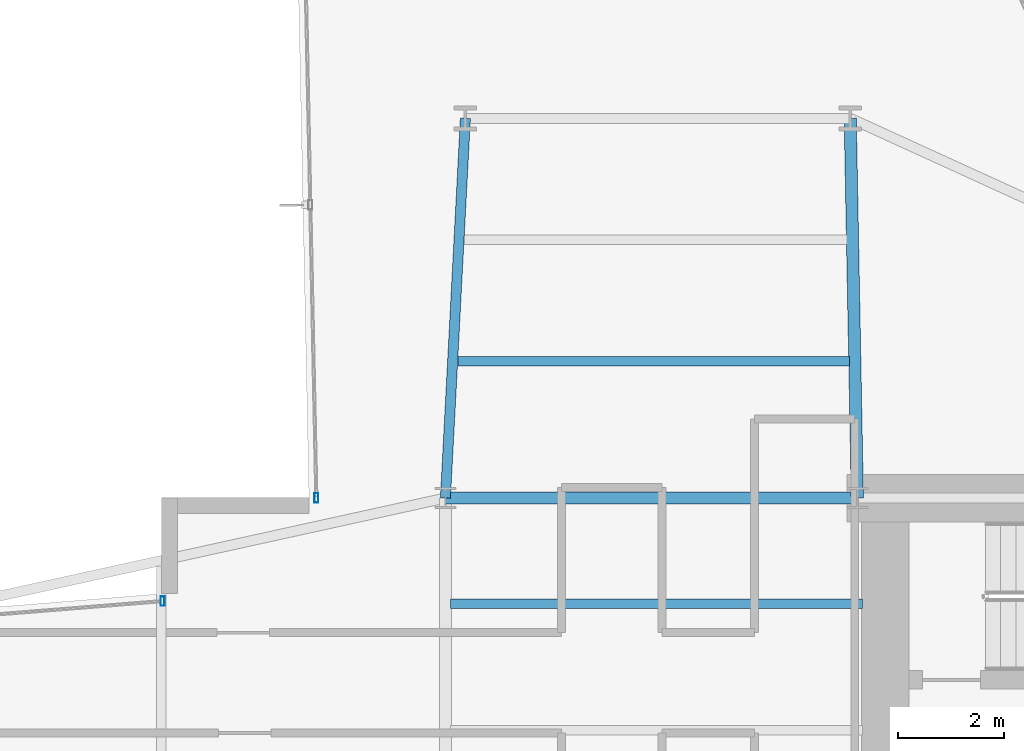
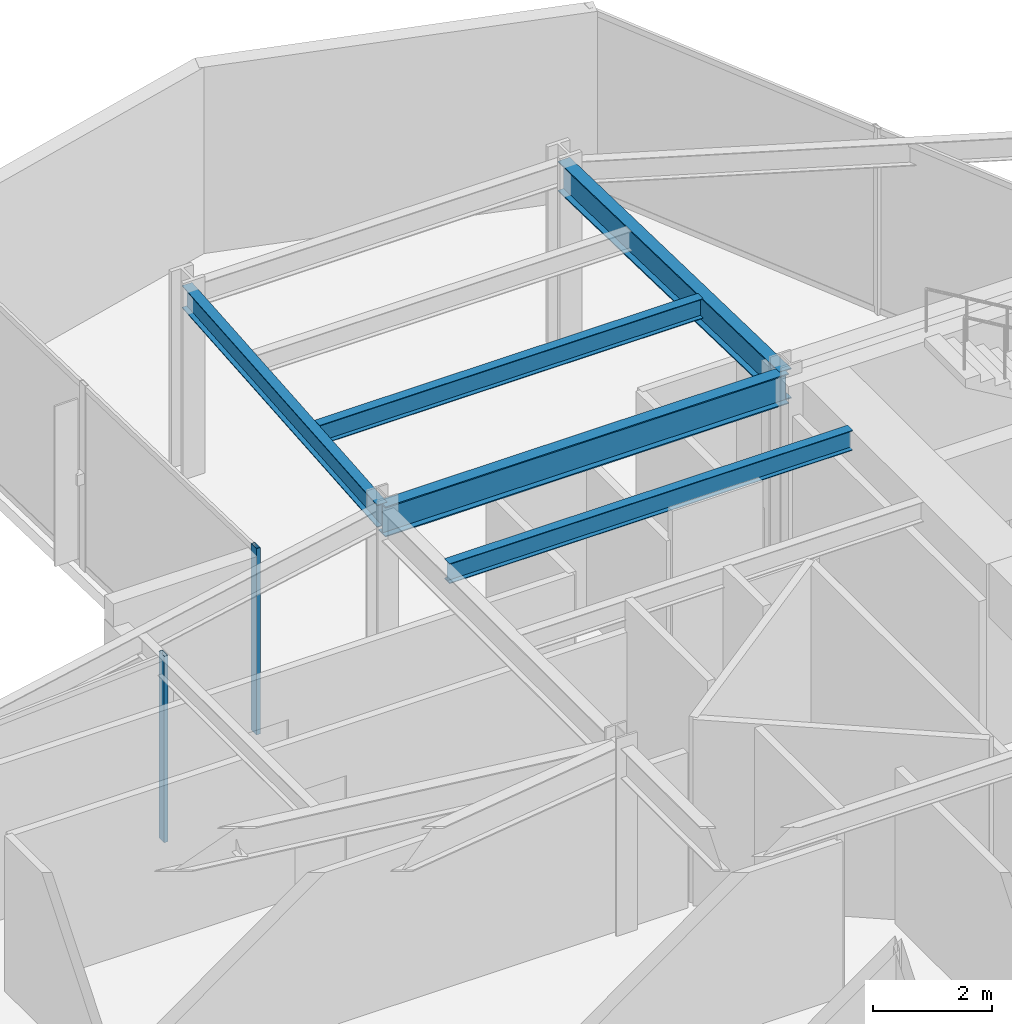
# One storey, part 9 of 23: 5 beams, 2 members, 2 elements without a shape of their own.
"""IFC4 building model written with IfcOpenShell, lengths in metres."""

from ifc_helpers import new_model, si_unit, direction, frame, origin, origin_2d, place, context, subcontext, project, spatial, hollow_rectangle, i_section, extrude, material, layer, layer_set, material_profile, profile_set, type_object, element, aggregate, save


model = new_model("IFC4")

# Units and contexts
model_context = context("Model", 3, precision=1e-05, world=origin(), true_north=direction((0.0, 1.0)))
body_context = subcontext(model_context, "Body", "Model", "MODEL_VIEW")
ifc_project = project(units=[si_unit("LENGTHUNIT", "METRE"), si_unit("AREAUNIT", "SQUARE_METRE"), si_unit("VOLUMEUNIT", "CUBIC_METRE"), si_unit("PLANEANGLEUNIT", "RADIAN"), si_unit("MASSUNIT", "GRAM", prefix="KILO")], contexts=[model_context])

# Site, building, storey
site_placement = place(None, origin())
site = spatial("IfcSite", under=ifc_project, at=site_placement, CompositionType="ELEMENT")
building_placement = place(site_placement, origin())
building = spatial("IfcBuilding", under=site, at=building_placement, Name="Veymaron Broadcast Tower", CompositionType="ELEMENT")
storey_placement = place(building_placement, frame((0.0, 0.0, 94.5)))
storey = spatial("IfcBuildingStorey", under=building, at=storey_placement, Name="L21", CompositionType="ELEMENT", Elevation=94.5)

# Beams
ifc_material_1 = material(Name="Structural steel ASTM A992 Gr 50", Category="steel")
ifc_material_profile_1 = material_profile(ifc_material_1, i_section(OverallWidth=0.22998046875, OverallDepth=0.616943359375, WebThickness=0.01318359375, FlangeThickness=0.022216796875, at=origin_2d()), Name="W610X140")
ifc_profile_set_1 = profile_set([ifc_material_profile_1], Name="Structural steel ASTM A992 Gr 50")
beam_type_1 = type_object("IfcBeamType", Name="BM-FG1", PredefinedType="BEAM", material=ifc_profile_set_1)
beam_1_placement = place(storey_placement, frame((31.199951171875, 32.0, 3.50146484375), z_axis=(1.0, 0.0, 0.0), x_axis=(0.0, 1.0, 0.0)))
element("IfcBeam", 1, at=beam_1_placement, inside=storey, type_object=beam_type_1, Name="L21 primary structural floor girder", PredefinedType="BEAM", context=body_context, shape_type="SweptSolid", body=[
    extrude(i_section(OverallWidth=0.22998046875, OverallDepth=0.616943359375, WebThickness=0.01318359375, FlangeThickness=0.022216796875, at=origin_2d()), origin(), (0.0, 0.0, 1.0), 7.800048828125),
])
beam_2_placement = place(storey_placement, frame((39.0, 32.0, 3.50146484375), z_axis=(-0.018774279541, 0.999823747681, 0.0), x_axis=(-0.999823747681, -0.018774279541, 0.0)))
element("IfcBeam", 2, at=beam_2_placement, inside=storey, type_object=beam_type_1, Name="L21 primary structural floor girder", PredefinedType="BEAM", context=body_context, shape_type="SweptSolid", body=[
    extrude(i_section(OverallWidth=0.22998046875, OverallDepth=0.616943359375, WebThickness=0.01318359375, FlangeThickness=0.022216796875, at=origin_2d()), origin(), (0.0, 0.0, 1.0), 7.191162109375),
])
ifc_material_profile_2 = material_profile(ifc_material_1, i_section(OverallWidth=0.177978515625, OverallDepth=0.406982421875, WebThickness=0.0078125, FlangeThickness=0.0126953125, at=origin_2d()), Name="W410X60")
ifc_profile_set_2 = profile_set([ifc_material_profile_2], Name="Structural steel ASTM A992 Gr 50")
beam_type_2 = type_object("IfcBeamType", Name="BM-JS1", PredefinedType="JOIST", material=ifc_profile_set_2)
beam_3_placement = place(storey_placement, frame((31.43603515625, 34.58837890625, 3.6064453125), z_axis=(1.0, 0.0, 0.0), x_axis=(0.0, 1.0, 0.0)))
element("IfcBeam", 3, at=beam_3_placement, inside=storey, type_object=beam_type_2, Name="L21 Arm-B secondary joist 1", PredefinedType="JOIST", context=body_context, shape_type="SweptSolid", body=[
    extrude(i_section(OverallWidth=0.177978515625, OverallDepth=0.406982421875, WebThickness=0.0078125, FlangeThickness=0.0126953125, at=origin_2d()), origin(), (0.0, 0.0, 1.0), 7.415283203125),
])
beam_4_placement = place(storey_placement, frame((31.300048828125, 30.0, 3.6064453125), z_axis=(1.0, 0.0, 0.0), x_axis=(0.0, 1.0, 0.0)))
element("IfcBeam", 4, at=beam_4_placement, inside=storey, type_object=beam_type_2, Name="L21 Hub secondary joist 4", PredefinedType="JOIST", context=body_context, shape_type="SweptSolid", body=[
    extrude(i_section(OverallWidth=0.177978515625, OverallDepth=0.406982421875, WebThickness=0.0078125, FlangeThickness=0.0126953125, at=origin_2d()), origin(), (0.0, 0.0, 1.0), 7.800048828125),
])
ifc_material_profile_3 = material_profile(ifc_material_1, i_section(OverallWidth=0.19091796875, OverallDepth=0.4599609375, WebThickness=0.010009765625, FlangeThickness=0.01611328125, at=origin_2d()), Name="W460X82")
ifc_profile_set_3 = profile_set([ifc_material_profile_3], Name="Structural steel ASTM A992 Gr 50")
beam_type_3 = type_object("IfcBeamType", Name="BM-SP1", PredefinedType="SPANDREL", material=ifc_profile_set_3)
beam_5_placement = place(storey_placement, frame((31.199951171875, 32.0, 3.580078125), z_axis=(0.052491202254, 0.998621386555, 0.0), x_axis=(-0.998621386555, 0.052491202254, 0.0)))
element("IfcBeam", 5, at=beam_5_placement, inside=storey, type_object=beam_type_3, Name="L21 primary structural floor girder", PredefinedType="SPANDREL", context=body_context, shape_type="SweptSolid", body=[
    extrude(i_section(OverallWidth=0.19091796875, OverallDepth=0.4599609375, WebThickness=0.010009765625, FlangeThickness=0.01611328125, at=origin_2d()), origin(), (0.0, 0.0, 1.0), 7.199951171875),
])

# Curtain wall, member
ifc_material_2 = material(Name="Anodised aluminium AA 6063-T6 and laminated low-E dark glass", Category="aluminium")
ifc_layer = layer(ifc_material_2, 0.179931640625)
ifc_layer_set = layer_set([ifc_layer], Name="Anodised aluminium AA 6063-T6 and laminated low-E dark glass")
curtain_wall_type = type_object("IfcCurtainWallType", Name="CW-SYS-02", PredefinedType="NOTDEFINED", material=ifc_layer_set)
curtain_wall_1_placement = place(storey_placement, origin())
curtain_wall_1 = element("IfcCurtainWall", 6, at=curtain_wall_1_placement, inside=storey, type_object=curtain_wall_type, Name="L21 dark-glass curtain wall CW-L21-E8-1", PredefinedType="NOTDEFINED")
ifc_material_3 = material(Name="Anodised aluminium AA 6063-T6", Category="aluminium")
ifc_material_profile_4 = material_profile(ifc_material_3, hollow_rectangle(XDim=0.074951171875, YDim=0.179931640625, WallThickness=0.0048828125, at=origin_2d()), Name="AL180X75X5")
ifc_profile_set_4 = profile_set([ifc_material_profile_4], Name="Anodised aluminium AA 6063-T6")
member_type = type_object("IfcMemberType", Name="CW-MUL-02", PredefinedType="MULLION", material=ifc_profile_set_4)
member_1_placement = place(storey_placement, frame((28.755615234375, 32.0029296875, 0.0), z_axis=(0.0, 0.0, 1.0), x_axis=(1.0, 0.0, 0.0)))
member_1 = element("IfcMember", 7, at=member_1_placement, type_object=member_type, Name="CW-L21-E8-1 mullion 2", PredefinedType="MULLION", context=body_context, shape_type="SweptSolid", body=[
    extrude(hollow_rectangle(XDim=0.074951171875, YDim=0.179931640625, WallThickness=0.0048828125, at=origin_2d()), origin(), (0.0, 0.0, 1.0), 3.81005859375),
])
aggregate(curtain_wall_1, [member_1])

curtain_wall_2_placement = place(storey_placement, origin())
curtain_wall_2 = element("IfcCurtainWall", 8, at=curtain_wall_2_placement, inside=storey, type_object=curtain_wall_type, Name="L21 dark-glass curtain wall CW-L21-E11-1", PredefinedType="NOTDEFINED")
member_2_placement = place(storey_placement, frame((25.84326171875, 30.048583984375, 0.0), z_axis=(0.0, 0.0, 1.0), x_axis=(1.0, 0.0, 0.0)))
member_2 = element("IfcMember", 9, at=member_2_placement, type_object=member_type, Name="CW-L21-E11-1 mullion 0", PredefinedType="MULLION", context=body_context, shape_type="SweptSolid", body=[
    extrude(hollow_rectangle(XDim=0.074951171875, YDim=0.179931640625, WallThickness=0.0048828125, at=origin_2d()), origin(), (0.0, 0.0, 1.0), 3.81005859375),
])
aggregate(curtain_wall_2, [member_2])

save(model, "model.ifc")
